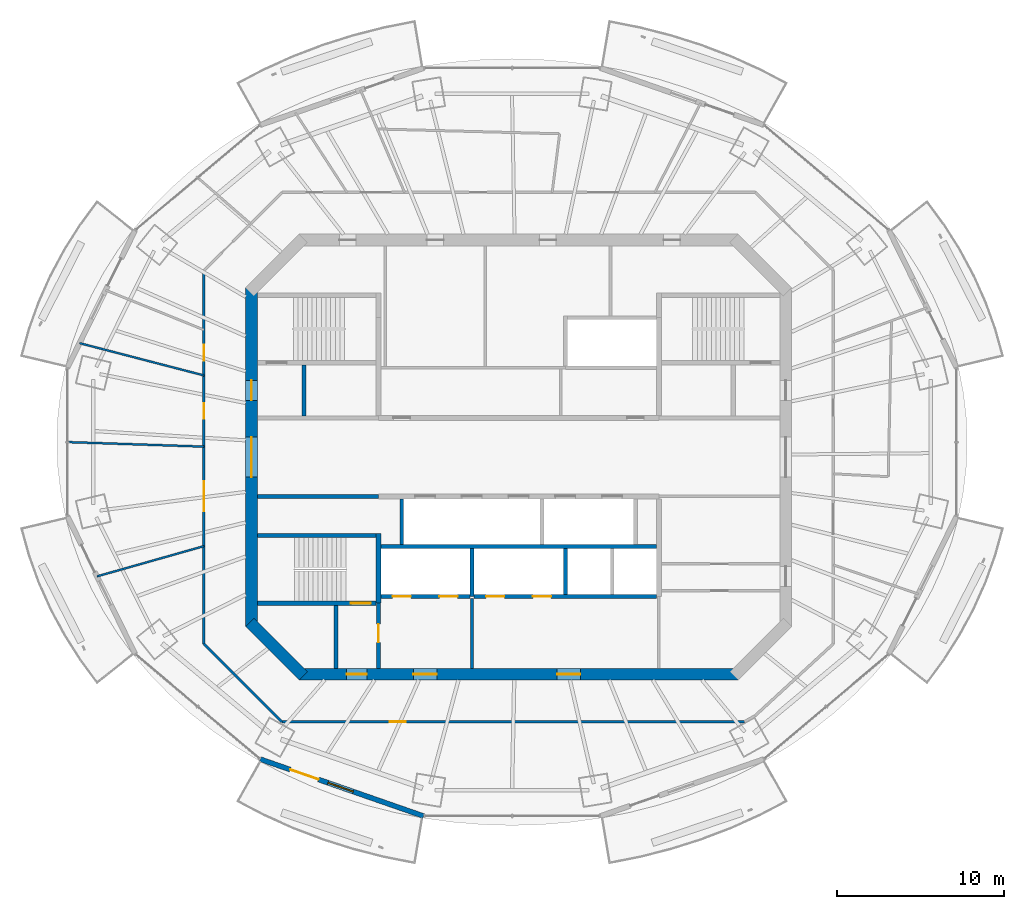
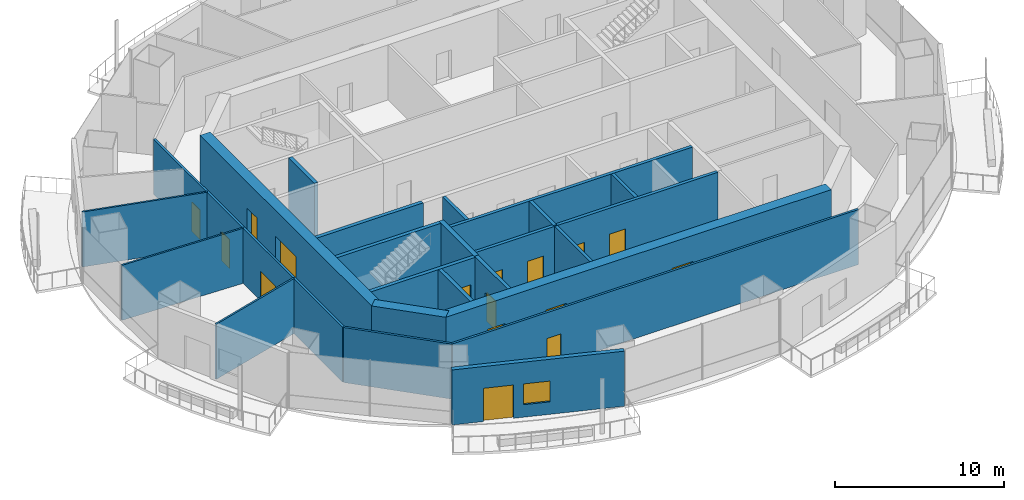
# One storey, part 8 of 16: 24 walls, 16 doors, 1 window, 17 openings.
"""IFC4 building model written with IfcOpenShell, lengths in metres."""

from ifc_helpers import new_model, si_unit, direction, frame, frame_2d, origin, place, context, subcontext, project, spatial, rectangle, extrude, material, layer, layer_set, type_object, element, fill, save


model = new_model("IFC4")

# Units and contexts
model_context = context("Model", 3, precision=1e-05, world=origin(), true_north=direction((0.0, 1.0)))
body_context = subcontext(model_context, "Body", "Model", "MODEL_VIEW")
ifc_project = project(units=[si_unit("LENGTHUNIT", "METRE"), si_unit("AREAUNIT", "SQUARE_METRE"), si_unit("VOLUMEUNIT", "CUBIC_METRE"), si_unit("PLANEANGLEUNIT", "RADIAN"), si_unit("MASSUNIT", "GRAM", prefix="KILO")], contexts=[model_context])

# Site, building, storey
site_placement = place(None, origin())
site = spatial("IfcSite", under=ifc_project, at=site_placement, CompositionType="ELEMENT")
building_placement = place(site_placement, origin())
building = spatial("IfcBuilding", under=site, at=building_placement, Name="Marenthal Gate Tower", CompositionType="ELEMENT")
storey_placement = place(building_placement, frame((0.0, 0.0, 342.60009765625)))
storey = spatial("IfcBuildingStorey", under=building, at=storey_placement, Name="L77", CompositionType="ELEMENT", Elevation=342.60009765625)

# Wall, openings, doors
ifc_material_1 = material(Name="Concrete 60 MPa", Category="concrete")
ifc_layer_1 = layer(ifc_material_1, 0.699951171875)
ifc_layer_set_1 = layer_set([ifc_layer_1], Name="Core shear wall 700")
wall_type_1 = type_object("IfcWallType", Name="Core shear wall 700", PredefinedType="SHEAR", material=ifc_layer_set_1)
wall_1_placement = place(storey_placement, frame((-16.0, 10.14501953125, -0.18017578125), z_axis=(0.0, 0.0, 1.0), x_axis=(0.0, -1.0, 0.0)))
wall_1 = element("IfcWall", 1, at=wall_1_placement, inside=storey, type_object=wall_type_1, Name="Core wall 06", PredefinedType="SHEAR", context=body_context, shape_type="SweptSolid", body=[
    extrude(rectangle(XDim=20.2900390625, YDim=0.699951171875, at=frame_2d((10.14501953125, 0.0))), origin(), (0.0, 0.0, 1.0), 4.150146484375),
])
opening_1_placement = place(wall_1_placement, frame((8.945068359375, 0.0, 0.179931640625)))
opening_1 = element("IfcOpeningElement", 2, at=opening_1_placement, cuts=wall_1, Name="Opening D003.01", PredefinedType="OPENING", context=body_context, shape_type="SweptSolid", body=[
    extrude(rectangle(XDim=2.39990234375, YDim=2.10009765625, at=frame_2d((1.199951171875, 1.050048828125))), frame((0.0, 0.35986328125, 0.0), z_axis=(0.0, -1.0, 0.0), x_axis=(1.0, 0.0, 0.0)), (0.0, 0.0, 1.0), 0.719970703125),
])
opening_2_placement = place(wall_1_placement, frame((5.544921875, 0.0, 0.179931640625)))
opening_2 = element("IfcOpeningElement", 3, at=opening_2_placement, cuts=wall_1, Name="Opening D001.04", PredefinedType="OPENING", context=body_context, shape_type="SweptSolid", body=[
    extrude(rectangle(XDim=1.199951171875, YDim=2.10009765625, at=frame_2d((0.60009765625, 1.050048828125))), frame((0.0, 0.35986328125, 0.0), z_axis=(0.0, -1.0, 0.0), x_axis=(1.0, 0.0, 0.0)), (0.0, 0.0, 1.0), 0.719970703125),
])
ifc_material_2 = material(Name="Steel fire door", Category="steel")
door_type_1 = type_object("IfcDoorType", Name="Double fire door FD 45 2400 x 2100", OperationType="DOUBLE_DOOR_SINGLE_SWING", PredefinedType="DOOR", material=ifc_material_2)
door_1_placement = place(opening_1_placement, origin())
door_1 = element("IfcDoor", 4, at=door_1_placement, inside=storey, type_object=door_type_1, Name="Door D003.01", OperationType="DOUBLE_DOOR_SINGLE_SWING", OverallHeight=2.10009765625, OverallWidth=2.39990234375, PredefinedType="DOOR", context=body_context, shape_type="SweptSolid", body=[
    extrude(rectangle(XDim=2.39990234375, YDim=2.10009765625, at=frame_2d((1.199951171875, 1.050048828125))), frame((0.0, 0.02490234375, 0.0), z_axis=(0.0, -1.0, 0.0), x_axis=(1.0, 0.0, 0.0)), (0.0, 0.0, 1.0), 0.050048828125),
])
fill(opening_1, door_1)
ifc_material_3 = material(Name="Steel fire door", Category="steel")
door_type_2 = type_object("IfcDoorType", Name="Fire door FD 90 1200 x 2100", OperationType="NOTDEFINED", PredefinedType="DOOR", material=ifc_material_3)
door_2_placement = place(opening_2_placement, origin())
door_2 = element("IfcDoor", 5, at=door_2_placement, inside=storey, type_object=door_type_2, Name="Door D001.04", OperationType="SINGLE_SWING_RIGHT", OverallHeight=2.10009765625, OverallWidth=1.199951171875, PredefinedType="DOOR", context=body_context, shape_type="SweptSolid", body=[
    extrude(rectangle(XDim=1.199951171875, YDim=2.10009765625, at=frame_2d((0.60009765625, 1.050048828125))), frame((0.0, 0.02490234375, 0.0), z_axis=(0.0, -1.0, 0.0), x_axis=(1.0, 0.0, 0.0)), (0.0, 0.0, 1.0), 0.050048828125),
])
fill(opening_2, door_2)

# Wall
wall_2_placement = place(storey_placement, frame((-16.1025390625, -9.8974609375, -0.18017578125), z_axis=(0.0, 0.0, 1.0), x_axis=(0.707106781187, -0.707106781187, 0.0)))
element("IfcWall", 6, at=wall_2_placement, inside=storey, type_object=wall_type_1, Name="Core wall 07", PredefinedType="SHEAR", context=body_context, shape_type="SweptSolid", body=[
    extrude(rectangle(XDim=4.53271484375, YDim=0.699951171875, at=frame_2d((2.266357421875, 0.0))), origin(), (0.0, 0.0, 1.0), 4.150146484375),
])

# Wall, openings, doors
wall_3_placement = place(storey_placement, frame((-13.14501953125, -13.0, -0.18017578125), z_axis=(0.0, 0.0, 1.0), x_axis=(1.0, 0.0, 0.0)))
wall_3 = element("IfcWall", 7, at=wall_3_placement, inside=storey, type_object=wall_type_1, Name="Core wall 08", PredefinedType="SHEAR", context=body_context, shape_type="SweptSolid", body=[
    extrude(rectangle(XDim=26.2900390625, YDim=0.699951171875, at=frame_2d((13.14501953125, 0.0))), origin(), (0.0, 0.0, 1.0), 4.150146484375),
])
opening_3_placement = place(wall_3_placement, frame((2.844970703125, 0.0, 0.179931640625)))
opening_3 = element("IfcOpeningElement", 8, at=opening_3_placement, cuts=wall_3, Name="Opening D001.06", PredefinedType="OPENING", context=body_context, shape_type="SweptSolid", body=[
    extrude(rectangle(XDim=1.199951171875, YDim=2.10009765625, at=frame_2d((0.60009765625, 1.050048828125))), frame((0.0, 0.35986328125, 0.0), z_axis=(0.0, -1.0, 0.0), x_axis=(1.0, 0.0, 0.0)), (0.0, 0.0, 1.0), 0.719970703125),
])
opening_4_placement = place(wall_3_placement, frame((6.844970703125, 0.0, 0.179931640625)))
opening_4 = element("IfcOpeningElement", 9, at=opening_4_placement, cuts=wall_3, Name="Opening D004.01", PredefinedType="OPENING", context=body_context, shape_type="SweptSolid", body=[
    extrude(rectangle(XDim=1.39990234375, YDim=2.10009765625, at=frame_2d((0.699951171875, 1.050048828125))), frame((0.0, 0.35986328125, 0.0), z_axis=(0.0, -1.0, 0.0), x_axis=(1.0, 0.0, 0.0)), (0.0, 0.0, 1.0), 0.719970703125),
])
opening_5_placement = place(wall_3_placement, frame((15.445068359375, 0.0, 0.179931640625)))
opening_5 = element("IfcOpeningElement", 10, at=opening_5_placement, cuts=wall_3, Name="Opening D004.02", PredefinedType="OPENING", context=body_context, shape_type="SweptSolid", body=[
    extrude(rectangle(XDim=1.39990234375, YDim=2.10009765625, at=frame_2d((0.699951171875, 1.050048828125))), frame((0.0, 0.35986328125, 0.0), z_axis=(0.0, -1.0, 0.0), x_axis=(1.0, 0.0, 0.0)), (0.0, 0.0, 1.0), 0.719970703125),
])
ifc_material_4 = material(Name="Steel fire door", Category="steel")
door_type_3 = type_object("IfcDoorType", Name="Fire door FD 45 1400 x 2100", OperationType="NOTDEFINED", PredefinedType="DOOR", material=ifc_material_4)
door_3_placement = place(opening_4_placement, origin())
door_3 = element("IfcDoor", 11, at=door_3_placement, inside=storey, type_object=door_type_3, Name="Door D004.01", OperationType="SINGLE_SWING_RIGHT", OverallHeight=2.10009765625, OverallWidth=1.39990234375, PredefinedType="DOOR", context=body_context, shape_type="SweptSolid", body=[
    extrude(rectangle(XDim=1.39990234375, YDim=2.10009765625, at=frame_2d((0.699951171875, 1.050048828125))), frame((0.0, 0.02490234375, 0.0), z_axis=(0.0, -1.0, 0.0), x_axis=(1.0, 0.0, 0.0)), (0.0, 0.0, 1.0), 0.050048828125),
])
fill(opening_4, door_3)
door_4_placement = place(opening_5_placement, origin())
door_4 = element("IfcDoor", 12, at=door_4_placement, inside=storey, type_object=door_type_3, Name="Door D004.02", OperationType="SINGLE_SWING_RIGHT", OverallHeight=2.10009765625, OverallWidth=1.39990234375, PredefinedType="DOOR", context=body_context, shape_type="SweptSolid", body=[
    extrude(rectangle(XDim=1.39990234375, YDim=2.10009765625, at=frame_2d((0.699951171875, 1.050048828125))), frame((0.0, 0.02490234375, 0.0), z_axis=(0.0, -1.0, 0.0), x_axis=(1.0, 0.0, 0.0)), (0.0, 0.0, 1.0), 0.050048828125),
])
fill(opening_5, door_4)
door_5_placement = place(opening_3_placement, origin())
door_5 = element("IfcDoor", 13, at=door_5_placement, inside=storey, type_object=door_type_2, Name="Door D001.06", OperationType="SINGLE_SWING_RIGHT", OverallHeight=2.10009765625, OverallWidth=1.199951171875, PredefinedType="DOOR", context=body_context, shape_type="SweptSolid", body=[
    extrude(rectangle(XDim=1.199951171875, YDim=2.10009765625, at=frame_2d((0.60009765625, 1.050048828125))), frame((0.0, 0.02490234375, 0.0), z_axis=(0.0, -1.0, 0.0), x_axis=(1.0, 0.0, 0.0)), (0.0, 0.0, 1.0), 0.050048828125),
])
fill(opening_3, door_5)

# Walls
ifc_material_5 = material(Name="Gypsum board on steel studs", Category="steel")
ifc_layer_2 = layer(ifc_material_5, 0.199951171875)
ifc_layer_set_2 = layer_set([ifc_layer_2], Name="Fire lobby wall 200")
wall_type_2 = type_object("IfcWallType", Name="Fire lobby wall 200", PredefinedType="PARTITIONING", material=ifc_layer_set_2)
wall_4_placement = place(storey_placement, frame((-2.800048828125, -12.64990234375, 0.0), z_axis=(0.0, 0.0, 1.0), x_axis=(0.0, 1.0, 0.0)))
element("IfcWall", 14, at=wall_4_placement, inside=storey, type_object=wall_type_2, Name="Fire wall 37", PredefinedType="PARTITIONING", context=body_context, shape_type="SweptSolid", body=[
    extrude(rectangle(XDim=4.18994140625, YDim=0.199951171875, at=frame_2d((2.094970703125, 0.0))), origin(), (0.0, 0.0, 1.0), 3.969970703125),
])
ifc_material_6 = material(Name="Concrete 50 MPa", Category="concrete")
ifc_layer_3 = layer(ifc_material_6, 0.300048828125)
ifc_layer_set_3 = layer_set([ifc_layer_3], Name="Hoistway shear wall 300")
wall_type_3 = type_object("IfcWallType", Name="Hoistway shear wall 300", PredefinedType="SHEAR", material=ifc_layer_set_3)
wall_5_placement = place(storey_placement, frame((-8.39990234375, -8.75, -0.18017578125), z_axis=(0.0, 0.0, 1.0), x_axis=(0.0, 1.0, 0.0)))
element("IfcWall", 15, at=wall_5_placement, inside=storey, type_object=wall_type_3, Name="Hoistway wall 32", PredefinedType="SHEAR", context=body_context, shape_type="SweptSolid", body=[
    extrude(rectangle(XDim=4.175048828125, YDim=0.300048828125, at=frame_2d((2.08740234375, 0.0))), origin(), (0.0, 0.0, 1.0), 4.150146484375),
])

# Wall, openings, doors
ifc_material_7 = material(Name="Concrete 40 MPa", Category="concrete")
ifc_layer_4 = layer(ifc_material_7, 0.219970703125)
ifc_layer_set_4 = layer_set([ifc_layer_4], Name="Hoistway wall 220")
wall_type_4 = type_object("IfcWallType", Name="Hoistway wall 220", PredefinedType="STANDARD", material=ifc_layer_set_4)
wall_6_placement = place(storey_placement, frame((-8.25, -8.35009765625, 0.0), z_axis=(0.0, 0.0, 1.0), x_axis=(1.0, 0.0, 0.0)))
wall_6 = element("IfcWall", 16, at=wall_6_placement, inside=storey, type_object=wall_type_4, Name="Hoistway wall 10", PredefinedType="STANDARD", context=body_context, shape_type="SweptSolid", body=[
    extrude(rectangle(XDim=5.340087890625, YDim=0.219970703125, at=frame_2d((2.669921875, 0.0))), origin(), (0.0, 0.0, 1.0), 3.969970703125),
])
opening_6_placement = place(wall_6_placement, frame((0.699951171875, 0.0, 0.0)))
opening_6 = element("IfcOpeningElement", 17, at=opening_6_placement, cuts=wall_6, Name="Opening LD-LF1", PredefinedType="OPENING", context=body_context, shape_type="SweptSolid", body=[
    extrude(rectangle(XDim=1.10009765625, YDim=2.10009765625, at=frame_2d((0.550048828125, 1.050048828125))), frame((0.0, 0.1201171875, 0.0), z_axis=(0.0, -1.0, 0.0), x_axis=(1.0, 0.0, 0.0)), (0.0, 0.0, 1.0), 0.239990234375),
])
opening_7_placement = place(wall_6_placement, frame((3.5, 0.0, 0.0)))
opening_7 = element("IfcOpeningElement", 18, at=opening_7_placement, cuts=wall_6, Name="Opening LD-LF2", PredefinedType="OPENING", context=body_context, shape_type="SweptSolid", body=[
    extrude(rectangle(XDim=1.10009765625, YDim=2.10009765625, at=frame_2d((0.550048828125, 1.050048828125))), frame((0.0, 0.1201171875, 0.0), z_axis=(0.0, -1.0, 0.0), x_axis=(1.0, 0.0, 0.0)), (0.0, 0.0, 1.0), 0.239990234375),
])
ifc_material_8 = material(Name="Stainless steel sliding door", Category="steel")
door_type_4 = type_object("IfcDoorType", Name="Lift landing door FD 90 1100 x 2100", OperationType="DOUBLE_DOOR_SLIDING", PredefinedType="DOOR", material=ifc_material_8)
door_6_placement = place(opening_6_placement, origin())
door_6 = element("IfcDoor", 19, at=door_6_placement, inside=storey, type_object=door_type_4, Name="Lift landing door LF1", OperationType="DOUBLE_DOOR_SLIDING", OverallHeight=2.10009765625, OverallWidth=1.10009765625, PredefinedType="DOOR", context=body_context, shape_type="SweptSolid", body=[
    extrude(rectangle(XDim=1.10009765625, YDim=2.10009765625, at=frame_2d((0.550048828125, 1.050048828125))), frame((0.0, 0.02490234375, 0.0), z_axis=(0.0, -1.0, 0.0), x_axis=(1.0, 0.0, 0.0)), (0.0, 0.0, 1.0), 0.050048828125),
])
fill(opening_6, door_6)
door_7_placement = place(opening_7_placement, origin())
door_7 = element("IfcDoor", 20, at=door_7_placement, inside=storey, type_object=door_type_4, Name="Lift landing door LF2", OperationType="DOUBLE_DOOR_SLIDING", OverallHeight=2.10009765625, OverallWidth=1.10009765625, PredefinedType="DOOR", context=body_context, shape_type="SweptSolid", body=[
    extrude(rectangle(XDim=1.10009765625, YDim=2.10009765625, at=frame_2d((0.550048828125, 1.050048828125))), frame((0.0, 0.02490234375, 0.0), z_axis=(0.0, -1.0, 0.0), x_axis=(1.0, 0.0, 0.0)), (0.0, 0.0, 1.0), 0.050048828125),
])
fill(opening_7, door_7)

wall_7_placement = place(storey_placement, frame((-2.68994140625, -8.35009765625, 0.0), z_axis=(0.0, 0.0, 1.0), x_axis=(1.0, 0.0, 0.0)))
wall_7 = element("IfcWall", 21, at=wall_7_placement, inside=storey, type_object=wall_type_4, Name="Hoistway wall 11", PredefinedType="STANDARD", context=body_context, shape_type="SweptSolid", body=[
    extrude(rectangle(XDim=10.93994140625, YDim=0.219970703125, at=frame_2d((5.469970703125, 0.0))), origin(), (0.0, 0.0, 1.0), 3.969970703125),
])
opening_8_placement = place(wall_7_placement, frame((0.739990234375, 0.0, 0.0)))
opening_8 = element("IfcOpeningElement", 22, at=opening_8_placement, cuts=wall_7, Name="Opening LD-SV1", PredefinedType="OPENING", context=body_context, shape_type="SweptSolid", body=[
    extrude(rectangle(XDim=1.10009765625, YDim=2.10009765625, at=frame_2d((0.550048828125, 1.050048828125))), frame((0.0, 0.1201171875, 0.0), z_axis=(0.0, -1.0, 0.0), x_axis=(1.0, 0.0, 0.0)), (0.0, 0.0, 1.0), 0.239990234375),
])
opening_9_placement = place(wall_7_placement, frame((3.5400390625, 0.0, 0.0)))
opening_9 = element("IfcOpeningElement", 23, at=opening_9_placement, cuts=wall_7, Name="Opening LD-SV2", PredefinedType="OPENING", context=body_context, shape_type="SweptSolid", body=[
    extrude(rectangle(XDim=1.10009765625, YDim=2.10009765625, at=frame_2d((0.550048828125, 1.050048828125))), frame((0.0, 0.1201171875, 0.0), z_axis=(0.0, -1.0, 0.0), x_axis=(1.0, 0.0, 0.0)), (0.0, 0.0, 1.0), 0.239990234375),
])
door_8_placement = place(opening_8_placement, origin())
door_8 = element("IfcDoor", 24, at=door_8_placement, inside=storey, type_object=door_type_4, Name="Lift landing door SV1", OperationType="DOUBLE_DOOR_SLIDING", OverallHeight=2.10009765625, OverallWidth=1.10009765625, PredefinedType="DOOR", context=body_context, shape_type="SweptSolid", body=[
    extrude(rectangle(XDim=1.10009765625, YDim=2.10009765625, at=frame_2d((0.550048828125, 1.050048828125))), frame((0.0, 0.02490234375, 0.0), z_axis=(0.0, -1.0, 0.0), x_axis=(1.0, 0.0, 0.0)), (0.0, 0.0, 1.0), 0.050048828125),
])
fill(opening_8, door_8)
door_9_placement = place(opening_9_placement, origin())
door_9 = element("IfcDoor", 25, at=door_9_placement, inside=storey, type_object=door_type_4, Name="Lift landing door SV2", OperationType="DOUBLE_DOOR_SLIDING", OverallHeight=2.10009765625, OverallWidth=1.10009765625, PredefinedType="DOOR", context=body_context, shape_type="SweptSolid", body=[
    extrude(rectangle(XDim=1.10009765625, YDim=2.10009765625, at=frame_2d((0.550048828125, 1.050048828125))), frame((0.0, 0.02490234375, 0.0), z_axis=(0.0, -1.0, 0.0), x_axis=(1.0, 0.0, 0.0)), (0.0, 0.0, 1.0), 0.050048828125),
])
fill(opening_9, door_9)

# Walls
wall_8_placement = place(storey_placement, frame((-8.25, -5.35009765625, 0.0), z_axis=(0.0, 0.0, 1.0), x_axis=(1.0, 0.0, 0.0)))
element("IfcWall", 26, at=wall_8_placement, inside=storey, type_object=wall_type_4, Name="Hoistway wall 14", PredefinedType="STANDARD", context=body_context, shape_type="SweptSolid", body=[
    extrude(rectangle(XDim=16.5, YDim=0.219970703125, at=frame_2d((8.25, 0.0))), origin(), (0.0, 0.0, 1.0), 3.969970703125),
])
wall_9_placement = place(storey_placement, frame((-7.0, -5.239990234375, 0.0), z_axis=(0.0, 0.0, 1.0), x_axis=(0.0, 1.0, 0.0)))
element("IfcWall", 27, at=wall_9_placement, inside=storey, type_object=wall_type_4, Name="Hoistway wall 36", PredefinedType="STANDARD", context=body_context, shape_type="SweptSolid", body=[
    extrude(rectangle(XDim=2.739990234375, YDim=0.219970703125, at=frame_2d((1.3701171875, 0.0))), origin(), (0.0, 0.0, 1.0), 3.969970703125),
])
wall_10_placement = place(storey_placement, frame((-2.800048828125, -8.35009765625, 0.0), z_axis=(0.0, 0.0, 1.0), x_axis=(0.0, 1.0, 0.0)))
element("IfcWall", 28, at=wall_10_placement, inside=storey, type_object=wall_type_4, Name="Hoistway wall 38", PredefinedType="STANDARD", context=body_context, shape_type="SweptSolid", body=[
    extrude(rectangle(XDim=2.89013671875, YDim=0.219970703125, at=frame_2d((1.445068359375, 0.0))), origin(), (0.0, 0.0, 1.0), 3.969970703125),
])
wall_11_placement = place(storey_placement, frame((2.800048828125, -8.239990234375, 0.0), z_axis=(0.0, 0.0, 1.0), x_axis=(0.0, 1.0, 0.0)))
element("IfcWall", 29, at=wall_11_placement, inside=storey, type_object=wall_type_4, Name="Hoistway wall 42", PredefinedType="STANDARD", context=body_context, shape_type="SweptSolid", body=[
    extrude(rectangle(XDim=2.780029296875, YDim=0.219970703125, at=frame_2d((1.39013671875, 0.0))), origin(), (0.0, 0.0, 1.0), 3.969970703125),
])
ifc_material_9 = material(Name="Gypsum board on steel studs", Category="steel")
ifc_layer_5 = layer(ifc_material_9, 0.1201171875)
ifc_layer_set_5 = layer_set([ifc_layer_5], Name="Partition 120")
wall_type_5 = type_object("IfcWallType", Name="Partition 120", PredefinedType="PARTITIONING", material=ifc_layer_set_5)
wall_12_placement = place(storey_placement, frame((-18.85009765625, -5.331787109375, 0.0), z_axis=(0.0, 0.0, 1.0), x_axis=(-0.962246620086, -0.272179062626, 0.0)))
element("IfcWall", 30, at=wall_12_placement, inside=storey, type_object=wall_type_5, Name="Partition wall 53", PredefinedType="PARTITIONING", context=body_context, shape_type="SweptSolid", body=[
    extrude(rectangle(XDim=6.661865234375, YDim=0.1201171875, at=frame_2d((3.3310546875, 0.0))), origin(), (0.0, 0.0, 1.0), 3.969970703125),
])
wall_13_placement = place(storey_placement, frame((-18.85009765625, 0.627685546875, 0.0), z_axis=(0.0, 0.0, 1.0), x_axis=(-0.999446363227, 0.03327111408, 0.0)))
element("IfcWall", 31, at=wall_13_placement, inside=storey, type_object=wall_type_5, Name="Partition wall 54", PredefinedType="PARTITIONING", context=body_context, shape_type="SweptSolid", body=[
    extrude(rectangle(XDim=8.181884765625, YDim=0.1201171875, at=frame_2d((4.0908203125, 0.0))), origin(), (0.0, 0.0, 1.0), 3.969970703125),
])
wall_14_placement = place(storey_placement, frame((-18.85009765625, 4.89208984375, 0.0), z_axis=(0.0, 0.0, 1.0), x_axis=(-0.96792697071, 0.251231724456, 0.0)))
element("IfcWall", 32, at=wall_14_placement, inside=storey, type_object=wall_type_5, Name="Partition wall 55", PredefinedType="PARTITIONING", context=body_context, shape_type="SweptSolid", body=[
    extrude(rectangle(XDim=7.700439453125, YDim=0.1201171875, at=frame_2d((3.85009765625, 0.0))), origin(), (0.0, 0.0, 1.0), 3.969970703125),
])

# Wall, openings, doors
ifc_material_10 = material(Name="Gypsum board on steel studs", Category="steel")
ifc_layer_6 = layer(ifc_material_10, 0.14990234375)
ifc_layer_set_6 = layer_set([ifc_layer_6], Name="Partition 150")
wall_type_6 = type_object("IfcWallType", Name="Partition 150", PredefinedType="PARTITIONING", material=ifc_layer_set_6)
wall_15_placement = place(storey_placement, frame((-18.85009765625, -11.180419921875, 0.0), z_axis=(0.0, 0.0, 1.0), x_axis=(0.0, 1.0, 0.0)))
wall_15 = element("IfcWall", 33, at=wall_15_placement, inside=storey, type_object=wall_type_6, Name="Partition wall 52", PredefinedType="PARTITIONING", context=body_context, shape_type="SweptSolid", body=[
    extrude(rectangle(XDim=22.36083984375, YDim=0.14990234375, at=frame_2d((11.180419921875, 0.0))), origin(), (0.0, 0.0, 1.0), 3.969970703125),
])
opening_10_placement = place(wall_15_placement, frame((16.9619140625, 0.0, 0.0)))
opening_10 = element("IfcOpeningElement", 34, at=opening_10_placement, cuts=wall_15, Name="Opening D016.04", PredefinedType="OPENING", context=body_context, shape_type="SweptSolid", body=[
    extrude(rectangle(XDim=0.949951171875, YDim=2.10009765625, at=frame_2d((0.47509765625, 1.050048828125))), frame((0.0, 0.0849609375, 0.0), z_axis=(0.0, -1.0, 0.0), x_axis=(1.0, 0.0, 0.0)), (0.0, 0.0, 1.0), 0.169921875),
])
opening_11_placement = place(wall_15_placement, frame((13.466064453125, 0.0, 0.0)))
opening_11 = element("IfcOpeningElement", 35, at=opening_11_placement, cuts=wall_15, Name="Opening D016.05", PredefinedType="OPENING", context=body_context, shape_type="SweptSolid", body=[
    extrude(rectangle(XDim=0.949951171875, YDim=2.10009765625, at=frame_2d((0.47509765625, 1.050048828125))), frame((0.0, 0.0849609375, 0.0), z_axis=(0.0, -1.0, 0.0), x_axis=(1.0, 0.0, 0.0)), (0.0, 0.0, 1.0), 0.169921875),
])
opening_12_placement = place(wall_15_placement, frame((7.928955078125, 0.0, 0.0)))
opening_12 = element("IfcOpeningElement", 36, at=opening_12_placement, cuts=wall_15, Name="Opening D014.04", PredefinedType="OPENING", context=body_context, shape_type="SweptSolid", body=[
    extrude(rectangle(XDim=1.800048828125, YDim=2.10009765625, at=frame_2d((0.89990234375, 1.050048828125))), frame((0.0, 0.0849609375, 0.0), z_axis=(0.0, -1.0, 0.0), x_axis=(1.0, 0.0, 0.0)), (0.0, 0.0, 1.0), 0.169921875),
])
ifc_material_11 = material(Name="Timber door", Category="wood")
door_type_5 = type_object("IfcDoorType", Name="Door 950 x 2100", OperationType="NOTDEFINED", PredefinedType="DOOR", material=ifc_material_11)
door_10_placement = place(opening_10_placement, origin())
door_10 = element("IfcDoor", 37, at=door_10_placement, inside=storey, type_object=door_type_5, Name="Door D016.04", OperationType="SINGLE_SWING_RIGHT", OverallHeight=2.10009765625, OverallWidth=0.949951171875, PredefinedType="DOOR", context=body_context, shape_type="SweptSolid", body=[
    extrude(rectangle(XDim=0.949951171875, YDim=2.10009765625, at=frame_2d((0.47509765625, 1.050048828125))), frame((0.0, 0.02490234375, 0.0), z_axis=(0.0, -1.0, 0.0), x_axis=(1.0, 0.0, 0.0)), (0.0, 0.0, 1.0), 0.050048828125),
])
fill(opening_10, door_10)
door_11_placement = place(opening_11_placement, origin())
door_11 = element("IfcDoor", 38, at=door_11_placement, inside=storey, type_object=door_type_5, Name="Door D016.05", OperationType="SINGLE_SWING_RIGHT", OverallHeight=2.10009765625, OverallWidth=0.949951171875, PredefinedType="DOOR", context=body_context, shape_type="SweptSolid", body=[
    extrude(rectangle(XDim=0.949951171875, YDim=2.10009765625, at=frame_2d((0.47509765625, 1.050048828125))), frame((0.0, 0.02490234375, 0.0), z_axis=(0.0, -1.0, 0.0), x_axis=(1.0, 0.0, 0.0)), (0.0, 0.0, 1.0), 0.050048828125),
])
fill(opening_11, door_11)
ifc_material_12 = material(Name="Timber door", Category="wood")
door_type_6 = type_object("IfcDoorType", Name="Double door 1800 x 2100", OperationType="DOUBLE_DOOR_SINGLE_SWING", PredefinedType="DOOR", material=ifc_material_12)
door_12_placement = place(opening_12_placement, origin())
door_12 = element("IfcDoor", 39, at=door_12_placement, inside=storey, type_object=door_type_6, Name="Door D014.04", OperationType="DOUBLE_DOOR_SINGLE_SWING", OverallHeight=2.10009765625, OverallWidth=1.800048828125, PredefinedType="DOOR", context=body_context, shape_type="SweptSolid", body=[
    extrude(rectangle(XDim=1.800048828125, YDim=2.10009765625, at=frame_2d((0.89990234375, 1.050048828125))), frame((0.0, 0.02490234375, 0.0), z_axis=(0.0, -1.0, 0.0), x_axis=(1.0, 0.0, 0.0)), (0.0, 0.0, 1.0), 0.050048828125),
])
fill(opening_12, door_12)

# Wall
wall_16_placement = place(storey_placement, frame((-14.180419921875, -15.85009765625, 0.0), z_axis=(0.0, 0.0, 1.0), x_axis=(-0.707106781187, 0.707106781187, 0.0)))
element("IfcWall", 40, at=wall_16_placement, inside=storey, type_object=wall_type_6, Name="Partition wall 59", PredefinedType="PARTITIONING", context=body_context, shape_type="SweptSolid", body=[
    extrude(rectangle(XDim=6.60400390625, YDim=0.14990234375, at=frame_2d((3.302001953125, 0.0))), origin(), (0.0, 0.0, 1.0), 3.969970703125),
])

# Wall, opening, door
wall_17_placement = place(storey_placement, frame((13.52099609375, -15.85009765625, 0.0), z_axis=(0.0, 0.0, 1.0), x_axis=(-1.0, 0.0, 0.0)))
wall_17 = element("IfcWall", 41, at=wall_17_placement, inside=storey, type_object=wall_type_6, Name="Partition wall 66", PredefinedType="PARTITIONING", context=body_context, shape_type="SweptSolid", body=[
    extrude(rectangle(XDim=27.701416015625, YDim=0.14990234375, at=frame_2d((13.8505859375, 0.0))), origin(), (0.0, 0.0, 1.0), 3.969970703125),
])
opening_13_placement = place(wall_17_placement, frame((20.283935546875, 0.0, 0.0)))
opening_13 = element("IfcOpeningElement", 42, at=opening_13_placement, cuts=wall_17, Name="Opening D016.06", PredefinedType="OPENING", context=body_context, shape_type="SweptSolid", body=[
    extrude(rectangle(XDim=0.949951171875, YDim=2.10009765625, at=frame_2d((0.47509765625, 1.050048828125))), frame((0.0, 0.0849609375, 0.0), z_axis=(0.0, -1.0, 0.0), x_axis=(1.0, 0.0, 0.0)), (0.0, 0.0, 1.0), 0.169921875),
])
door_13_placement = place(opening_13_placement, frame((0.949951171875, 0.0, 0.0), z_axis=(0.0, 0.0, 1.0), x_axis=(-1.0, 0.0, 0.0)))
door_13 = element("IfcDoor", 43, at=door_13_placement, inside=storey, type_object=door_type_5, Name="Door D016.06", OperationType="SINGLE_SWING_LEFT", OverallHeight=2.10009765625, OverallWidth=0.949951171875, PredefinedType="DOOR", context=body_context, shape_type="SweptSolid", body=[
    extrude(rectangle(XDim=0.949951171875, YDim=2.10009765625, at=frame_2d((0.47509765625, 1.050048828125))), frame((0.0, 0.02490234375, 0.0), z_axis=(0.0, -1.0, 0.0), x_axis=(1.0, 0.0, 0.0)), (0.0, 0.0, 1.0), 0.050048828125),
])
fill(opening_13, door_13)

# Walls
ifc_material_13 = material(Name="Concrete 40 MPa", Category="concrete")
ifc_layer_7 = layer(ifc_material_13, 0.25)
ifc_layer_set_7 = layer_set([ifc_layer_7], Name="Stair enclosure wall 250")
wall_type_7 = type_object("IfcWallType", Name="Stair enclosure wall 250", PredefinedType="STANDARD", material=ifc_layer_set_7)
wall_18_placement = place(storey_placement, frame((-15.64990234375, -2.35009765625, 0.0), z_axis=(0.0, 0.0, 1.0), x_axis=(1.0, 0.0, 0.0)))
element("IfcWall", 44, at=wall_18_placement, inside=storey, type_object=wall_type_7, Name="Stair wall 16", PredefinedType="STANDARD", context=body_context, shape_type="SweptSolid", body=[
    extrude(rectangle(XDim=7.25, YDim=0.25, at=frame_2d((3.625, 0.0))), origin(), (0.0, 0.0, 1.0), 3.969970703125),
])
wall_19_placement = place(storey_placement, frame((-12.85009765625, 2.47509765625, 0.0), z_axis=(0.0, 0.0, 1.0), x_axis=(0.0, 1.0, 0.0)))
element("IfcWall", 45, at=wall_19_placement, inside=storey, type_object=wall_type_7, Name="Stair wall 29", PredefinedType="STANDARD", context=body_context, shape_type="SweptSolid", body=[
    extrude(rectangle(XDim=3.0498046875, YDim=0.25, at=frame_2d((1.52490234375, 0.0))), origin(), (0.0, 0.0, 1.0), 3.969970703125),
])
wall_20_placement = place(storey_placement, frame((-10.949951171875, -12.64990234375, 0.0), z_axis=(0.0, 0.0, 1.0), x_axis=(0.0, 1.0, 0.0)))
element("IfcWall", 46, at=wall_20_placement, inside=storey, type_object=wall_type_7, Name="Stair wall 30", PredefinedType="STANDARD", context=body_context, shape_type="SweptSolid", body=[
    extrude(rectangle(XDim=3.77490234375, YDim=0.25, at=frame_2d((1.887451171875, 0.0))), origin(), (0.0, 0.0, 1.0), 3.969970703125),
])

# Wall, opening, door
wall_21_placement = place(storey_placement, frame((-8.39990234375, -12.64990234375, 0.0), z_axis=(0.0, 0.0, 1.0), x_axis=(0.0, 1.0, 0.0)))
wall_21 = element("IfcWall", 47, at=wall_21_placement, inside=storey, type_object=wall_type_7, Name="Stair wall 31", PredefinedType="STANDARD", context=body_context, shape_type="SweptSolid", body=[
    extrude(rectangle(XDim=3.89990234375, YDim=0.25, at=frame_2d((1.949951171875, 0.0))), origin(), (0.0, 0.0, 1.0), 3.969970703125),
])
opening_14_placement = place(wall_21_placement, frame((1.550048828125, 0.0, 0.0)))
opening_14 = element("IfcOpeningElement", 48, at=opening_14_placement, cuts=wall_21, Name="Opening D002.01", PredefinedType="OPENING", context=body_context, shape_type="SweptSolid", body=[
    extrude(rectangle(XDim=1.10009765625, YDim=2.10009765625, at=frame_2d((0.550048828125, 1.050048828125))), frame((0.0, 0.135009765625, 0.0), z_axis=(0.0, -1.0, 0.0), x_axis=(1.0, 0.0, 0.0)), (0.0, 0.0, 1.0), 0.27001953125),
])
ifc_material_14 = material(Name="Steel fire door", Category="steel")
door_type_7 = type_object("IfcDoorType", Name="Fire door FD 90 1100 x 2100", OperationType="NOTDEFINED", PredefinedType="DOOR", material=ifc_material_14)
door_14_placement = place(opening_14_placement, origin())
door_14 = element("IfcDoor", 49, at=door_14_placement, inside=storey, type_object=door_type_7, Name="Door D002.01", OperationType="SINGLE_SWING_RIGHT", OverallHeight=2.10009765625, OverallWidth=1.10009765625, PredefinedType="DOOR", context=body_context, shape_type="SweptSolid", body=[
    extrude(rectangle(XDim=1.10009765625, YDim=2.10009765625, at=frame_2d((0.550048828125, 1.050048828125))), frame((0.0, 0.02490234375, 0.0), z_axis=(0.0, -1.0, 0.0), x_axis=(1.0, 0.0, 0.0)), (0.0, 0.0, 1.0), 0.050048828125),
])
fill(opening_14, door_14)

ifc_material_15 = material(Name="Concrete 50 MPa", Category="concrete")
ifc_layer_8 = layer(ifc_material_15, 0.25)
ifc_layer_set_8 = layer_set([ifc_layer_8], Name="Stair shear wall 250")
wall_type_8 = type_object("IfcWallType", Name="Stair shear wall 250", PredefinedType="SHEAR", material=ifc_layer_set_8)
wall_22_placement = place(storey_placement, frame((-15.64990234375, -8.75, -0.18017578125), z_axis=(0.0, 0.0, 1.0), x_axis=(1.0, 0.0, 0.0)))
wall_22 = element("IfcWall", 50, at=wall_22_placement, inside=storey, type_object=wall_type_8, Name="Stair wall 09", PredefinedType="SHEAR", context=body_context, shape_type="SweptSolid", body=[
    extrude(rectangle(XDim=7.099853515625, YDim=0.25, at=frame_2d((3.5498046875, 0.0))), origin(), (0.0, 0.0, 1.0), 4.150146484375),
])
opening_15_placement = place(wall_22_placement, frame((5.60009765625, 0.0, 0.179931640625)))
opening_15 = element("IfcOpeningElement", 51, at=opening_15_placement, cuts=wall_22, Name="Opening D001.03", PredefinedType="OPENING", context=body_context, shape_type="SweptSolid", body=[
    extrude(rectangle(XDim=1.199951171875, YDim=2.10009765625, at=frame_2d((0.60009765625, 1.050048828125))), frame((0.0, 0.135009765625, 0.0), z_axis=(0.0, -1.0, 0.0), x_axis=(1.0, 0.0, 0.0)), (0.0, 0.0, 1.0), 0.27001953125),
])
door_15_placement = place(opening_15_placement, origin())
door_15 = element("IfcDoor", 52, at=door_15_placement, inside=storey, type_object=door_type_2, Name="Door D001.03", OperationType="SINGLE_SWING_RIGHT", OverallHeight=2.10009765625, OverallWidth=1.199951171875, PredefinedType="DOOR", context=body_context, shape_type="SweptSolid", body=[
    extrude(rectangle(XDim=1.199951171875, YDim=2.10009765625, at=frame_2d((0.60009765625, 1.050048828125))), frame((0.0, 0.02490234375, 0.0), z_axis=(0.0, -1.0, 0.0), x_axis=(1.0, 0.0, 0.0)), (0.0, 0.0, 1.0), 0.050048828125),
])
fill(opening_15, door_15)

# Wall
wall_23_placement = place(storey_placement, frame((-15.64990234375, -4.699951171875, -0.18017578125), z_axis=(0.0, 0.0, 1.0), x_axis=(1.0, 0.0, 0.0)))
element("IfcWall", 53, at=wall_23_placement, inside=storey, type_object=wall_type_8, Name="Stair wall 15", PredefinedType="SHEAR", context=body_context, shape_type="SweptSolid", body=[
    extrude(rectangle(XDim=7.099853515625, YDim=0.25, at=frame_2d((3.5498046875, 0.0))), origin(), (0.0, 0.0, 1.0), 4.150146484375),
])

# Wall, openings, door, window
ifc_material_16 = material(Name="Terracotta cladding on insulated concrete-block backing", Category="masonry")
ifc_layer_9 = layer(ifc_material_16, 0.300048828125)
ifc_layer_set_9 = layer_set([ifc_layer_9], Name="Terracotta facade wall 300")
wall_type_9 = type_object("IfcWallType", Name="Terracotta facade wall 300", PredefinedType="SOLIDWALL", material=ifc_layer_set_9)
wall_24_placement = place(storey_placement, frame((-15.483154296875, -18.09228515625, 0.0), z_axis=(0.0, 0.0, 1.0), x_axis=(0.944291634301, -0.329109874341, 0.0)))
wall_24 = element("IfcWall", 54, at=wall_24_placement, inside=storey, type_object=wall_type_9, Name="Terracotta facade wall L77 bay 11", PredefinedType="SOLIDWALL", context=body_context, shape_type="SweptSolid", body=[
    extrude(rectangle(XDim=10.364013671875, YDim=0.300048828125, at=frame_2d((5.18212890625, 0.0))), origin(), (0.0, 0.0, 1.0), 3.969970703125),
])
opening_16_placement = place(wall_24_placement, frame((1.89990234375, 0.0, 0.0)))
opening_16 = element("IfcOpeningElement", 55, at=opening_16_placement, cuts=wall_24, Name="Opening BD-L77-11", PredefinedType="OPENING", context=body_context, shape_type="SweptSolid", body=[
    extrude(rectangle(XDim=1.800048828125, YDim=2.39990234375, at=frame_2d((0.89990234375, 1.199951171875))), frame((0.0, 0.16015625, 0.0), z_axis=(0.0, -1.0, 0.0), x_axis=(1.0, 0.0, 0.0)), (0.0, 0.0, 1.0), 0.320068359375),
])
opening_17_placement = place(wall_24_placement, frame((4.300048828125, 0.0, 0.89990234375)))
opening_17 = element("IfcOpeningElement", 56, at=opening_17_placement, cuts=wall_24, Name="Opening WN3-L77-11", PredefinedType="OPENING", context=body_context, shape_type="SweptSolid", body=[
    extrude(rectangle(XDim=1.60009765625, YDim=1.5, at=frame_2d((0.800048828125, 0.75))), frame((0.0, 0.16015625, 0.0), z_axis=(0.0, -1.0, 0.0), x_axis=(1.0, 0.0, 0.0)), (0.0, 0.0, 1.0), 0.320068359375),
])
ifc_material_17 = material(Name="Aluminium and glass", Category="aluminium")
door_type_8 = type_object("IfcDoorType", Name="Balcony door 1800x2400", OperationType="DOUBLE_DOOR_SINGLE_SWING", PredefinedType="DOOR", material=ifc_material_17)
door_16_placement = place(opening_16_placement, origin())
door_16 = element("IfcDoor", 57, at=door_16_placement, inside=storey, type_object=door_type_8, Name="Balcony door L77 bay 11", OperationType="SINGLE_SWING_LEFT", OverallHeight=2.39990234375, OverallWidth=1.800048828125, PredefinedType="DOOR", context=body_context, shape_type="SweptSolid", body=[
    extrude(rectangle(XDim=1.800048828125, YDim=2.39990234375, at=frame_2d((0.89990234375, 1.199951171875))), frame((0.0, 0.02490234375, 0.0), z_axis=(0.0, -1.0, 0.0), x_axis=(1.0, 0.0, 0.0)), (0.0, 0.0, 1.0), 0.050048828125),
])
fill(opening_16, door_16)
ifc_material_18 = material(Name="Aluminium and glass", Category="aluminium")
window_type = type_object("IfcWindowType", Name="Window 1600x1500", PartitioningType="DOUBLE_PANEL_VERTICAL", PredefinedType="WINDOW", material=ifc_material_18)
window_placement = place(opening_17_placement, origin())
window = element("IfcWindow", 58, at=window_placement, inside=storey, type_object=window_type, Name="Window L77 bay 11", OverallHeight=1.5, OverallWidth=1.60009765625, PartitioningType="SINGLE_PANEL", PredefinedType="WINDOW", context=body_context, shape_type="SweptSolid", body=[
    extrude(rectangle(XDim=1.60009765625, YDim=1.5, at=frame_2d((0.800048828125, 0.75))), frame((0.0, 0.030029296875, 0.0), z_axis=(0.0, -1.0, 0.0), x_axis=(1.0, 0.0, 0.0)), (0.0, 0.0, 1.0), 0.06005859375),
])
fill(opening_17, window)

save(model, "model.ifc")
